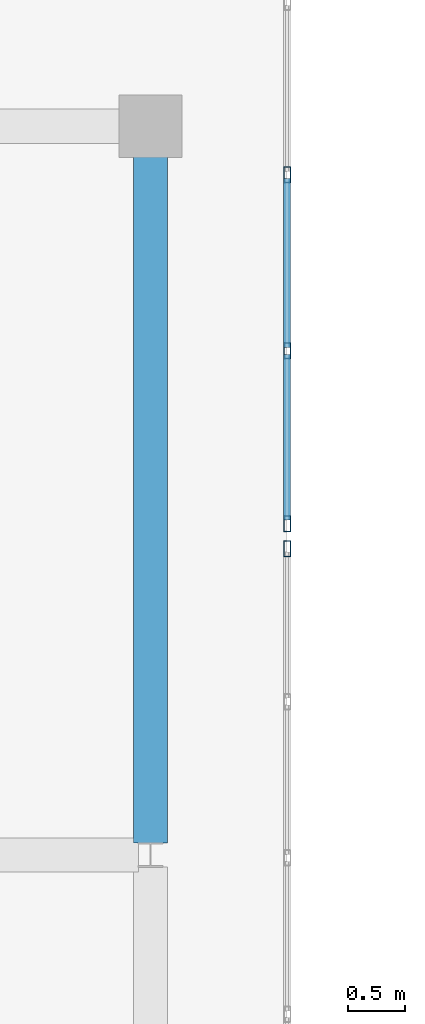
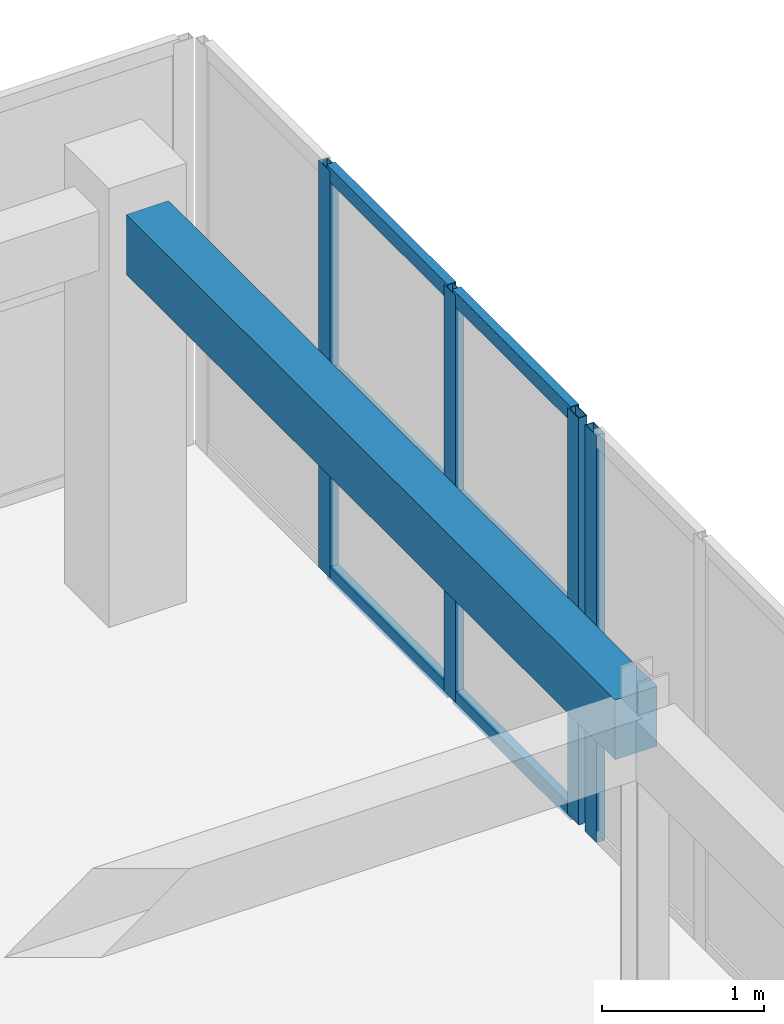
# One storey, part 78 of 148: 10 members, 1 beam, 2 elements without a shape of their own.
"""IFC4 building model written with IfcOpenShell, lengths in metres."""

import ifcopenshell
import ifcopenshell.guid

model = None  # the IFC model being written
_history = None  # IfcOwnerHistory: only IFC2X3 demands one
_inside = {}  # id of a spatial element -> (the spatial element, [elements in it])
_under = {}  # id of a project, library or spatial element -> (it, [spatial elements below it])
_declared = {}  # id of a project -> (the project, [libraries it declares])
_typed = {}  # id of a type object -> (the type object, [elements of that type])
_made_of = {}  # id of a material, layer set ... -> (it, [elements and type objects made of it])


def new_model(schema):
    """Start an empty IFC model of exactly this schema.

    Asked for "IFC4X3", IfcOpenShell would pick the latest addendum, in which some entities
    have other attributes; the version numbers below select the first issue.
    IFC2X3 requires an IfcOwnerHistory on every rooted entity: one is made here for all.
    """
    global model, _history
    if schema == "IFC4X3":
        model = ifcopenshell.file(schema_version=(4, 3, 0, 0))
    else:
        model = ifcopenshell.file(schema=schema)
    _inside.clear()
    _under.clear()
    _declared.clear()
    _typed.clear()
    _made_of.clear()
    _history = None
    if model.schema == "IFC2X3":
        org = make("IfcOrganization", Name="unknown")
        user = make(
            "IfcPersonAndOrganization",
            ThePerson=make("IfcPerson", FamilyName="unknown"),
            TheOrganization=org,
        )
        app = make(
            "IfcApplication",
            ApplicationDeveloper=org,
            Version="unknown",
            ApplicationFullName="unknown",
            ApplicationIdentifier="unknown",
        )
        _history = make(
            "IfcOwnerHistory",
            OwningUser=user,
            OwningApplication=app,
            ChangeAction="ADDED",
            CreationDate=0,
        )
    return model


def make(cls, **values):
    """One entity of the class cls with the attributes given. An attribute that is None is left unset."""
    return model.create_entity(
        cls, **{name: value for name, value in values.items() if value is not None}
    )


def rooted(cls, **values):
    """An entity with a GlobalId (a new one), such as an element, a storey or a relation."""
    return make(cls, GlobalId=ifcopenshell.guid.new(), OwnerHistory=_history, **values)


def si_unit(unit_type, name, prefix=None):
    """IfcSIUnit, for example si_unit("LENGTHUNIT", "METRE", prefix="MILLI")."""
    return make("IfcSIUnit", UnitType=unit_type, Prefix=prefix, Name=name)


def assignment(units):
    """IfcUnitAssignment: the units of a project."""
    return None if units is None else make("IfcUnitAssignment", Units=units)


def point(xyz):
    """IfcCartesianPoint."""
    return None if xyz is None else make("IfcCartesianPoint", Coordinates=xyz)


def direction(xyz):
    """IfcDirection."""
    return None if xyz is None else make("IfcDirection", DirectionRatios=xyz)


def frame(location, z_axis=None, x_axis=None):
    """IfcAxis2Placement3D, a coordinate frame: its origin and axes. An axis left out is left unset."""
    return make(
        "IfcAxis2Placement3D",
        Location=point(location),
        Axis=direction(z_axis),
        RefDirection=direction(x_axis),
    )


def frame_2d(location, x_axis=None):
    """IfcAxis2Placement2D, a coordinate frame in the plane: its origin and x axis."""
    return make(
        "IfcAxis2Placement2D", Location=point(location), RefDirection=direction(x_axis)
    )


def origin():
    """The frame at (0, 0, 0) with its axes left unset."""
    return frame((0.0, 0.0, 0.0))


def origin_2d():
    """The frame at (0, 0) in the plane with its x axis left unset."""
    return frame_2d((0.0, 0.0))


def place(relative_to, where):
    """IfcLocalPlacement: puts the frame where relative to a parent placement (None: the world)."""
    return make(
        "IfcLocalPlacement", PlacementRelTo=relative_to, RelativePlacement=where
    )


def context(
    kind, dimensions, precision=None, world=None, true_north=None, identifier=None
):
    """IfcGeometricRepresentationContext, for example the 3D "Model" context."""
    return make(
        "IfcGeometricRepresentationContext",
        ContextIdentifier=identifier,
        ContextType=kind,
        CoordinateSpaceDimension=dimensions,
        Precision=precision,
        WorldCoordinateSystem=world,
        TrueNorth=true_north,
    )


def subcontext(parent, identifier, kind, view, scale=None):
    """IfcGeometricRepresentationSubContext, for example "Body" below "Model"."""
    return make(
        "IfcGeometricRepresentationSubContext",
        ContextIdentifier=identifier,
        ContextType=kind,
        ParentContext=parent,
        TargetScale=scale,
        TargetView=view,
    )


def project(units=None, contexts=None):
    """IfcProject with its units and contexts."""
    return rooted(
        "IfcProject",
        Name="project",
        RepresentationContexts=contexts,
        UnitsInContext=assignment(units),
    )


def spatial(cls, under=None, at=None, **own):
    """A site, building, storey or space (cls), placed at a placement, below another one or the project."""
    s = rooted(cls, ObjectPlacement=at, **own)
    if under is not None:
        _under.setdefault(under.id(), (under, []))[1].append(s)
    return s


def profile(cls, at=None, kind="AREA", **sizes):
    """A parametric profile (cls). Its sizes go by their IFC names, for example OverallWidth=200.0."""
    return make(cls, ProfileType=kind, Position=at, **sizes)


def rectangle(**sizes):
    """IfcRectangleProfileDef."""
    return profile("IfcRectangleProfileDef", **sizes)


def hollow_rectangle(**sizes):
    """IfcRectangleHollowProfileDef."""
    return profile("IfcRectangleHollowProfileDef", **sizes)


def extrude(swept, where, along, depth):
    """IfcExtrudedAreaSolid: the profile swept, set in the frame where, extruded along a direction by depth."""
    return make(
        "IfcExtrudedAreaSolid",
        SweptArea=swept,
        Position=where,
        ExtrudedDirection=direction(along),
        Depth=depth,
    )


def shape(context_of_items, identifier, shape_type, items):
    """IfcShapeRepresentation: the items that make up one representation, for example the "Body"."""
    return make(
        "IfcShapeRepresentation",
        ContextOfItems=context_of_items,
        RepresentationIdentifier=identifier,
        RepresentationType=shape_type,
        Items=items,
    )


def material(Name=None, Category=None):
    """IfcMaterial."""
    return make("IfcMaterial", Name=Name, Category=Category)


def layer(
    of_material, thickness, ventilated=None, Name=None, Category=None, Priority=None
):
    """IfcMaterialLayer: one layer of a wall or slab, of a material (None: an air gap)."""
    return make(
        "IfcMaterialLayer",
        Material=of_material,
        LayerThickness=thickness,
        IsVentilated=ventilated,
        Name=Name,
        Category=Category,
        Priority=Priority,
    )


def layer_set(layers, Name=None):
    """IfcMaterialLayerSet."""
    return make("IfcMaterialLayerSet", MaterialLayers=layers, LayerSetName=Name)


def material_profile(
    of_material, cross_section, Name=None, Category=None, Priority=None
):
    """IfcMaterialProfile: a cross section and its material."""
    return make(
        "IfcMaterialProfile",
        Name=Name,
        Material=of_material,
        Profile=cross_section,
        Priority=Priority,
        Category=Category,
    )


def profile_set(profiles, Name=None, composite=None):
    """IfcMaterialProfileSet."""
    return make(
        "IfcMaterialProfileSet",
        Name=Name,
        MaterialProfiles=profiles,
        CompositeProfile=composite,
    )


def made_of(thing, what):
    """Note that an element or type object is made of a material, layer set ...; save() writes the relation."""
    if what is not None:
        _made_of.setdefault(what.id(), (what, []))[1].append(thing)
    return thing


def type_object(cls, material=None, **own):
    """A type object (cls), such as IfcWallType, which elements share."""
    return made_of(rooted(cls, **own), material)


def element(
    cls,
    number,
    at=None,
    inside=None,
    cuts=None,
    type_object=None,
    material=None,
    context=None,
    identifier="Body",
    shape_type=None,
    held_by="IfcProductDefinitionShape",
    body=None,
    shapes=None,
    **own,
):
    """One element of the class cls, such as IfcWall. Its Tag is "e" and its number.

    at: its placement. inside: the storey or other place that contains it. cuts: it is an
    opening in that element (IfcRelVoidsElement). A single representation is given by context,
    identifier, shape_type and body (its items); several are given by shapes. held_by: the class
    of the entity that holds the representations. save() writes the other relations.
    """
    e = rooted(cls, Tag="e%d" % number, ObjectPlacement=at, **own)
    if body is not None:
        shapes = [shape(context, identifier, shape_type, body)]
    if shapes is not None:
        e.Representation = make(held_by, Representations=shapes)
    if inside is not None:
        _inside.setdefault(inside.id(), (inside, []))[1].append(e)
    if cuts is not None:
        rooted(
            "IfcRelVoidsElement", RelatingBuildingElement=cuts, RelatedOpeningElement=e
        )
    if type_object is not None:
        _typed.setdefault(type_object.id(), (type_object, []))[1].append(e)
    return made_of(e, material)


def aggregate(whole, parts):
    """IfcRelAggregates: a whole, such as a stair, and the parts it consists of."""
    return rooted("IfcRelAggregates", RelatingObject=whole, RelatedObjects=parts)


def save(model, path):
    """Write the relations noted so far, then the file.

    IfcRelAggregates (storeys below a building ...), IfcRelContainedInSpatialStructure (elements
    in a storey), IfcRelDefinesByType, IfcRelAssociatesMaterial and IfcRelDeclares: one each for
    every whole, place, type object, material and project.
    """
    for whole, parts in _under.values():
        aggregate(whole, parts)
    for where, things in _inside.values():
        rooted(
            "IfcRelContainedInSpatialStructure",
            RelatedElements=things,
            RelatingStructure=where,
        )
    for kind, things in _typed.values():
        rooted("IfcRelDefinesByType", RelatedObjects=things, RelatingType=kind)
    for what, things in _made_of.values():
        rooted("IfcRelAssociatesMaterial", RelatedObjects=things, RelatingMaterial=what)
    for by, libraries in _declared.values():
        rooted("IfcRelDeclares", RelatingContext=by, RelatedDefinitions=libraries)
    model.write(path)


model = new_model("IFC4")

# Units and contexts
model_context = context("Model", 3, precision=1e-05, world=origin(), true_north=direction((0.0, 1.0)))
body_context = subcontext(model_context, "Body", "Model", "MODEL_VIEW")
ifc_project = project(units=[si_unit("LENGTHUNIT", "METRE"), si_unit("AREAUNIT", "SQUARE_METRE"), si_unit("VOLUMEUNIT", "CUBIC_METRE"), si_unit("PLANEANGLEUNIT", "RADIAN"), si_unit("MASSUNIT", "GRAM", prefix="KILO")], contexts=[model_context])

# Site, building, storey
site_placement = place(None, origin())
site = spatial("IfcSite", under=ifc_project, at=site_placement, CompositionType="ELEMENT")
building_placement = place(site_placement, origin())
building = spatial("IfcBuilding", under=site, at=building_placement, Name="Trelvath General Hospital", CompositionType="ELEMENT")
storey_placement = place(building_placement, frame((0.0, 0.0, 12.89990234375)))
storey = spatial("IfcBuildingStorey", under=building, at=storey_placement, Name="L03", CompositionType="ELEMENT", Elevation=12.89990234375)

# Beam
ifc_material_1 = material(Name="Concrete C35/45", Category="concrete")
ifc_material_profile_1 = material_profile(ifc_material_1, rectangle(XDim=0.300048828125, YDim=0.449951171875, at=origin_2d()), Name="RCB300x450")
ifc_profile_set_1 = profile_set([ifc_material_profile_1], Name="Concrete C35/45")
beam_type = type_object("IfcBeamType", Name="Beam RC300x450", PredefinedType="BEAM", material=ifc_profile_set_1)
beam_placement = place(storey_placement, frame((113.60009765625, 72.906005859375, 2.835205078125), z_axis=(0.0, 1.0, 0.0), x_axis=(-1.0, 0.0, 0.0)))
element("IfcBeam", 1, at=beam_placement, inside=storey, type_object=beam_type, Name="Cube Interior Ring Beam CUBE-E-T1 L03", PredefinedType="BEAM", context=body_context, shape_type="SweptSolid", body=[
    extrude(rectangle(XDim=0.300048828125, YDim=0.449951171875, at=origin_2d()), origin(), (0.0, 0.0, 1.0), 6.02294921875),
])

# Curtain wall, member
ifc_material_2 = material(Name="Anodised aluminium and low-E glass", Category="aluminium")
ifc_layer_1 = layer(ifc_material_2, 0.14990234375)
ifc_layer_set_1 = layer_set([ifc_layer_1], Name="Anodised aluminium and low-E glass")
curtain_wall_type_1 = type_object("IfcCurtainWallType", Name="CW CrystalCube 824 306 15", PredefinedType="USERDEFINED", material=ifc_layer_set_1)
curtain_wall_1_placement = place(storey_placement, origin())
curtain_wall_1 = element("IfcCurtainWall", 2, at=curtain_wall_1_placement, inside=storey, type_object=curtain_wall_type_1, Name="Crystal Cube Curtain Wall CUBE-E-T1 E4 L03", ObjectType="Unitised Glazed Curtain Wall", PredefinedType="USERDEFINED")
ifc_material_3 = material(Name="Anodised aluminium", Category="aluminium")
ifc_material_profile_2 = material_profile(ifc_material_3, hollow_rectangle(XDim=0.06005859375, YDim=0.139892578125, WallThickness=0.00390625, at=origin_2d()), Name="RHS60x140x4")
ifc_profile_set_2 = profile_set([ifc_material_profile_2], Name="Anodised aluminium")
member_type_1 = type_object("IfcMemberType", Name="CurtainMullion 60x140", PredefinedType="MULLION", material=ifc_profile_set_2)
member_1_placement = place(storey_placement, frame((114.800048828125, 75.489990234375, 0.0), z_axis=(0.0, 0.0, 1.0), x_axis=(1.0, 0.0, 0.0)))
member_1 = element("IfcMember", 3, at=member_1_placement, type_object=member_type_1, Name="CW-254 mullion 1", PredefinedType="MULLION", context=body_context, shape_type="SweptSolid", body=[
    extrude(hollow_rectangle(XDim=0.06005859375, YDim=0.139892578125, WallThickness=0.00390625, at=origin_2d()), origin(), (0.0, 0.0, 1.0), 3.06005859375),
])
aggregate(curtain_wall_1, [member_1])

# Curtain wall, members
ifc_material_4 = material(Name="Anodised aluminium and low-E glass", Category="aluminium")
ifc_layer_2 = layer(ifc_material_4, 0.14990234375)
ifc_layer_set_2 = layer_set([ifc_layer_2], Name="Anodised aluminium and low-E glass")
curtain_wall_type_2 = type_object("IfcCurtainWallType", Name="CW CrystalCube 464 306 15", PredefinedType="USERDEFINED", material=ifc_layer_set_2)
curtain_wall_2_placement = place(storey_placement, origin())
curtain_wall_2 = element("IfcCurtainWall", 4, at=curtain_wall_2_placement, inside=storey, type_object=curtain_wall_type_2, Name="Crystal Cube Curtain Wall CUBE-E-T1 E5 L03", ObjectType="Unitised Glazed Curtain Wall", PredefinedType="USERDEFINED")
member_2_placement = place(storey_placement, frame((114.800048828125, 78.7734375, 0.0), z_axis=(0.0, 0.0, 1.0), x_axis=(1.0, 0.0, 0.0)))
member_2 = element("IfcMember", 5, at=member_2_placement, type_object=member_type_1, Name="CW-256 mullion 2", PredefinedType="MULLION", context=body_context, shape_type="SweptSolid", body=[
    extrude(hollow_rectangle(XDim=0.06005859375, YDim=0.139892578125, WallThickness=0.00390625, at=origin_2d()), origin(), (0.0, 0.0, 1.0), 3.06005859375),
])
member_3_placement = place(storey_placement, frame((114.800048828125, 77.2265625, 0.0), z_axis=(0.0, 0.0, 1.0), x_axis=(1.0, 0.0, 0.0)))
member_3 = element("IfcMember", 6, at=member_3_placement, type_object=member_type_1, Name="CW-256 mullion 3", PredefinedType="MULLION", context=body_context, shape_type="SweptSolid", body=[
    extrude(hollow_rectangle(XDim=0.06005859375, YDim=0.139892578125, WallThickness=0.00390625, at=origin_2d()), origin(), (0.0, 0.0, 1.0), 3.06005859375),
])
member_4_placement = place(storey_placement, frame((114.800048828125, 75.7099609375, 0.0), z_axis=(0.0, 0.0, 1.0), x_axis=(1.0, 0.0, 0.0)))
member_4 = element("IfcMember", 7, at=member_4_placement, type_object=member_type_1, Name="CW-256 mullion 4", PredefinedType="MULLION", context=body_context, shape_type="SweptSolid", body=[
    extrude(hollow_rectangle(XDim=0.06005859375, YDim=0.139892578125, WallThickness=0.00390625, at=origin_2d()), origin(), (0.0, 0.0, 1.0), 3.06005859375),
])
ifc_material_5 = material(Name="Anodised aluminium", Category="aluminium")
ifc_material_profile_3 = material_profile(ifc_material_5, hollow_rectangle(XDim=0.06005859375, YDim=0.110107421875, WallThickness=0.00390625, at=origin_2d()), Name="RHS60x110x4")
ifc_profile_set_3 = profile_set([ifc_material_profile_3], Name="Anodised aluminium")
member_type_2 = type_object("IfcMemberType", Name="CurtainTransom 60x110", PredefinedType="USERDEFINED", material=ifc_profile_set_3)
member_5_placement = place(storey_placement, frame((114.800048828125, 78.743408203125, 0.030029296875), z_axis=(0.0, -1.0, 0.0), x_axis=(1.0, 0.0, 0.0)))
member_5 = element("IfcMember", 8, at=member_5_placement, type_object=member_type_2, Name="CW-256 transom 2.1", ObjectType="TRANSOM", PredefinedType="USERDEFINED", context=body_context, shape_type="SweptSolid", body=[
    extrude(hollow_rectangle(XDim=0.06005859375, YDim=0.110107421875, WallThickness=0.00390625, at=origin_2d()), origin(), (0.0, 0.0, 1.0), 1.48681640625),
])
member_6_placement = place(storey_placement, frame((114.800048828125, 78.743408203125, 1.530029296875), z_axis=(0.0, -1.0, 0.0), x_axis=(1.0, 0.0, 0.0)))
member_6 = element("IfcMember", 9, at=member_6_placement, type_object=member_type_2, Name="CW-256 transom 2.2", ObjectType="TRANSOM", PredefinedType="USERDEFINED", context=body_context, shape_type="SweptSolid", body=[
    extrude(hollow_rectangle(XDim=0.06005859375, YDim=0.110107421875, WallThickness=0.00390625, at=origin_2d()), origin(), (0.0, 0.0, 1.0), 1.48681640625),
])
member_7_placement = place(storey_placement, frame((114.800048828125, 78.743408203125, 3.030029296875), z_axis=(0.0, -1.0, 0.0), x_axis=(1.0, 0.0, 0.0)))
member_7 = element("IfcMember", 10, at=member_7_placement, type_object=member_type_2, Name="CW-256 transom 2.3", ObjectType="TRANSOM", PredefinedType="USERDEFINED", context=body_context, shape_type="SweptSolid", body=[
    extrude(hollow_rectangle(XDim=0.06005859375, YDim=0.110107421875, WallThickness=0.00390625, at=origin_2d()), origin(), (0.0, 0.0, 1.0), 1.48681640625),
])
member_8_placement = place(storey_placement, frame((114.800048828125, 77.19677734375, 0.030029296875), z_axis=(0.0, -1.0, 0.0), x_axis=(1.0, 0.0, 0.0)))
member_8 = element("IfcMember", 11, at=member_8_placement, type_object=member_type_2, Name="CW-256 transom 3.1", ObjectType="TRANSOM", PredefinedType="USERDEFINED", context=body_context, shape_type="SweptSolid", body=[
    extrude(hollow_rectangle(XDim=0.06005859375, YDim=0.110107421875, WallThickness=0.00390625, at=origin_2d()), origin(), (0.0, 0.0, 1.0), 1.456787109375),
])
member_9_placement = place(storey_placement, frame((114.800048828125, 77.19677734375, 1.530029296875), z_axis=(0.0, -1.0, 0.0), x_axis=(1.0, 0.0, 0.0)))
member_9 = element("IfcMember", 12, at=member_9_placement, type_object=member_type_2, Name="CW-256 transom 3.2", ObjectType="TRANSOM", PredefinedType="USERDEFINED", context=body_context, shape_type="SweptSolid", body=[
    extrude(hollow_rectangle(XDim=0.06005859375, YDim=0.110107421875, WallThickness=0.00390625, at=origin_2d()), origin(), (0.0, 0.0, 1.0), 1.456787109375),
])
member_10_placement = place(storey_placement, frame((114.800048828125, 77.19677734375, 3.030029296875), z_axis=(0.0, -1.0, 0.0), x_axis=(1.0, 0.0, 0.0)))
member_10 = element("IfcMember", 13, at=member_10_placement, type_object=member_type_2, Name="CW-256 transom 3.3", ObjectType="TRANSOM", PredefinedType="USERDEFINED", context=body_context, shape_type="SweptSolid", body=[
    extrude(hollow_rectangle(XDim=0.06005859375, YDim=0.110107421875, WallThickness=0.00390625, at=origin_2d()), origin(), (0.0, 0.0, 1.0), 1.456787109375),
])
aggregate(curtain_wall_2, [member_2, member_3, member_4, member_5, member_6, member_7, member_8, member_9, member_10])

save(model, "model.ifc")
